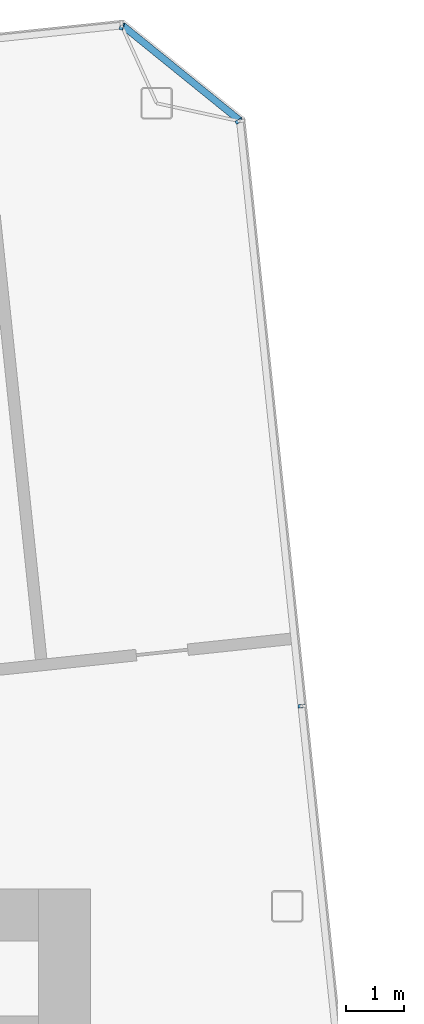
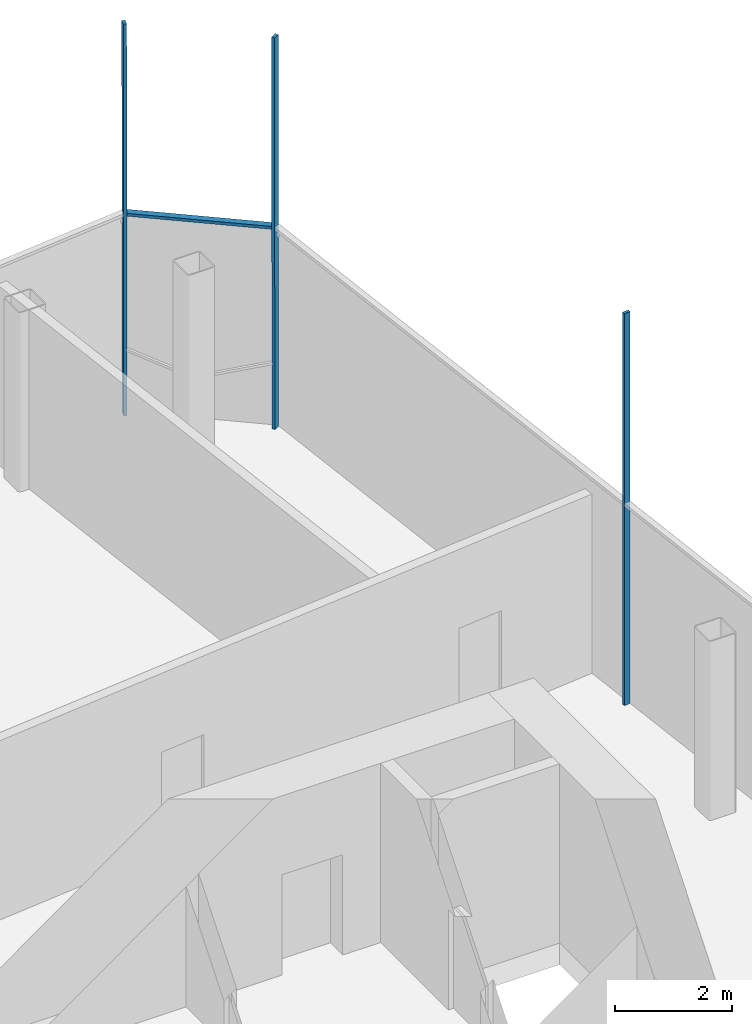
# One storey, part 15 of 41: 4 members, 2 elements without a shape of their own.
"""IFC4 building model written with IfcOpenShell, lengths in metres."""

from ifc_helpers import new_model, si_unit, direction, frame, origin, origin_2d, place, context, subcontext, project, spatial, rectangle, extrude, material, layer, layer_set, material_profile, profile_set, type_object, element, aggregate, save


model = new_model("IFC4")

# Units and contexts
model_context = context("Model", 3, precision=1e-05, world=origin(), true_north=direction((0.0, 1.0)))
body_context = subcontext(model_context, "Body", "Model", "MODEL_VIEW")
ifc_project = project(units=[si_unit("LENGTHUNIT", "METRE"), si_unit("AREAUNIT", "SQUARE_METRE"), si_unit("VOLUMEUNIT", "CUBIC_METRE"), si_unit("PLANEANGLEUNIT", "RADIAN"), si_unit("MASSUNIT", "GRAM", prefix="KILO")], contexts=[model_context])

# Site, building, storey
site_placement = place(None, origin())
site = spatial("IfcSite", under=ifc_project, at=site_placement, CompositionType="ELEMENT")
building_placement = place(site_placement, origin())
building = spatial("IfcBuilding", under=site, at=building_placement, Name="Hakoniwa Tower and Hamabe Station Hall", CompositionType="ELEMENT")
storey_placement = place(building_placement, frame((0.0, 0.0, 276.60009765625)))
storey = spatial("IfcBuildingStorey", under=building, at=storey_placement, Name="L77", CompositionType="ELEMENT", Elevation=276.60009765625)

# Curtain wall, members
ifc_material_1 = material(Name="Dark low-e laminated glass", Category="glass")
ifc_layer = layer(ifc_material_1, 0.199951171875)
ifc_layer_set = layer_set([ifc_layer], Name="CW-4 CROWN FACETS")
curtain_wall_type = type_object("IfcCurtainWallType", Name="CW-4 CROWN FACETS", PredefinedType="NOTDEFINED", material=ifc_layer_set)
curtain_wall_1_placement = place(storey_placement, origin())
curtain_wall_1 = element("IfcCurtainWall", 1, at=curtain_wall_1_placement, inside=storey, type_object=curtain_wall_type, Name="Crown skirt facet L77", PredefinedType="NOTDEFINED")
ifc_material_2 = material(Name="Aluminium 6063-T5 black anodised", Category="aluminium")
ifc_material_profile = material_profile(ifc_material_2, rectangle(XDim=0.06005859375, YDim=0.1201171875, at=origin_2d()), Name="CW-4 GLAZING BAR 60X120")
ifc_profile_set = profile_set([ifc_material_profile], Name="Aluminium 6063-T5 black anodised")
member_type = type_object("IfcMemberType", Name="CW-4 GLAZING BAR 60X120", PredefinedType="MULLION", material=ifc_profile_set)
member_1_placement = place(storey_placement, frame((34.150634765625, 23.377685546875, 0.0), z_axis=(-0.001131389336, -0.000327507439, 0.999999306348), x_axis=(0.958819897507, -0.284014598636, -9.3016958e-05)))
member_1 = element("IfcMember", 2, at=member_1_placement, type_object=member_type, Name="Crown glazing bar", PredefinedType="MULLION", context=body_context, shape_type="SweptSolid", body=[
    extrude(rectangle(XDim=0.06005859375, YDim=0.1201171875, at=origin_2d()), origin(), (0.0, 0.0, 1.0), 8.199951171875),
])
member_2_placement = place(storey_placement, frame((36.181396484375, 21.733154296875, 0.0), z_axis=(-0.000714561954, -0.000357280977, 0.999999680876), x_axis=(0.477158929318, -0.878816740419, -0.000313984604)))
member_2 = element("IfcMember", 3, at=member_2_placement, type_object=member_type, Name="Crown glazing bar", PredefinedType="MULLION", context=body_context, shape_type="SweptSolid", body=[
    extrude(rectangle(XDim=0.06005859375, YDim=0.1201171875, at=origin_2d()), origin(), (0.0, 0.0, 1.0), 8.199951171875),
])

# Curtain wall, member
curtain_wall_2_placement = place(storey_placement, origin())
curtain_wall_2 = element("IfcCurtainWall", 4, at=curtain_wall_2_placement, inside=storey, type_object=curtain_wall_type, Name="Crown skirt facet L77", PredefinedType="NOTDEFINED")
member_3_placement = place(storey_placement, frame((37.265625, 11.574951171875, 0.0), z_axis=(0.0, 0.0, 1.0), x_axis=(0.104528443376, -0.994521897459, 0.0)))
member_3 = element("IfcMember", 5, at=member_3_placement, type_object=member_type, Name="Crown glazing bar", PredefinedType="MULLION", context=body_context, shape_type="SweptSolid", body=[
    extrude(rectangle(XDim=0.06005859375, YDim=0.1201171875, at=origin_2d()), origin(), (0.0, 0.0, 1.0), 8.199951171875),
])
aggregate(curtain_wall_2, [member_3])

# Member
member_4_placement = place(storey_placement, frame((34.15576171875, 23.394775390625, 4.199951171875), z_axis=(0.777127973546, -0.629342603621, 0.0), x_axis=(0.0, 0.0, -1.0)))
member_4 = element("IfcMember", 6, at=member_4_placement, type_object=member_type, Name="Crown glazing bar", PredefinedType="MULLION", context=body_context, shape_type="SweptSolid", body=[
    extrude(rectangle(XDim=0.06005859375, YDim=0.1201171875, at=origin_2d()), origin(), (0.0, 0.0, 1.0), 2.626708984375),
])

aggregate(curtain_wall_1, [member_1, member_2, member_4])

save(model, "model.ifc")
